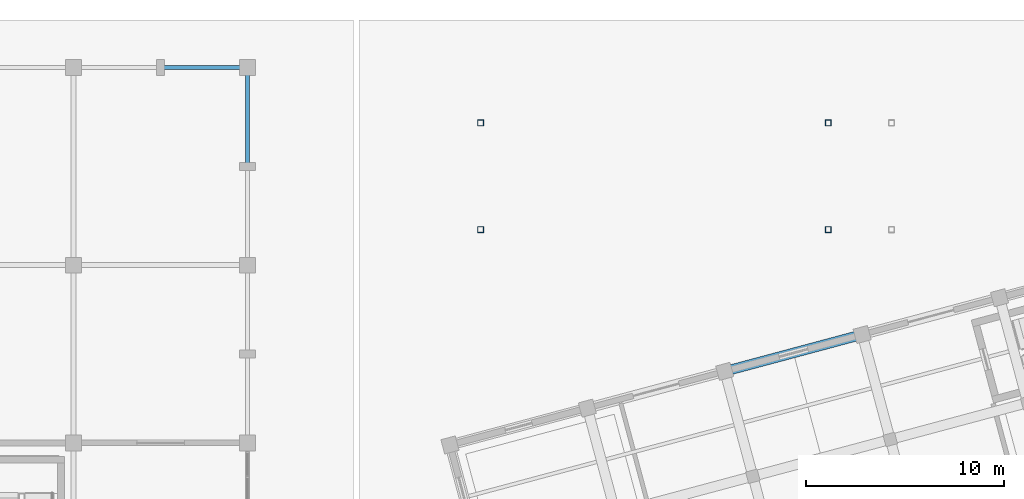
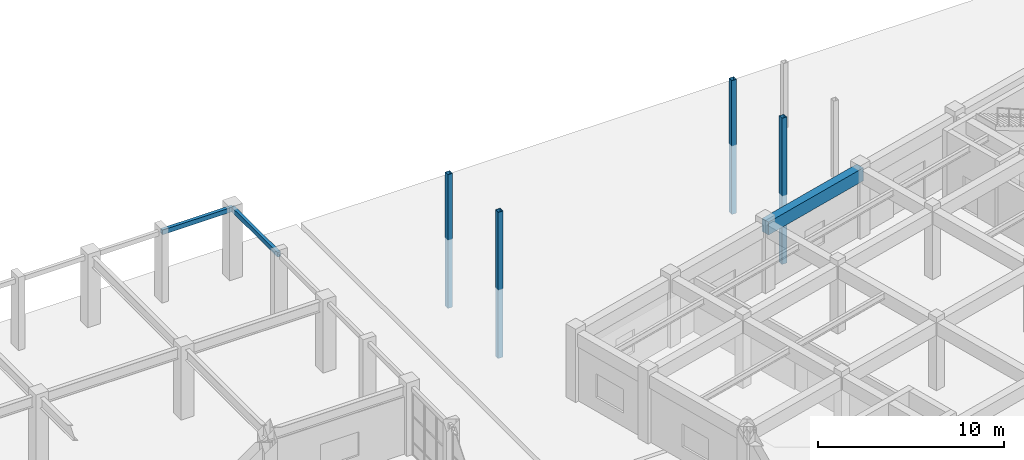
# One storey, part 23 of 47: 4 members, 3 beams.
"""IFC4 building model written with IfcOpenShell, lengths in metres."""

from ifc_helpers import new_model, si_unit, direction, frame, origin, origin_2d, place, context, subcontext, project, spatial, rectangle, hollow_rectangle, extrude, material, material_profile, profile_set, type_object, element, save


model = new_model("IFC4")

# Units and contexts
model_context = context("Model", 3, precision=1e-05, world=origin(), true_north=direction((0.0, 1.0)))
body_context = subcontext(model_context, "Body", "Model", "MODEL_VIEW")
ifc_project = project(units=[si_unit("LENGTHUNIT", "METRE"), si_unit("AREAUNIT", "SQUARE_METRE"), si_unit("VOLUMEUNIT", "CUBIC_METRE"), si_unit("PLANEANGLEUNIT", "RADIAN"), si_unit("MASSUNIT", "GRAM", prefix="KILO")], contexts=[model_context])

# Site, building, storey
site_placement = place(None, origin())
site = spatial("IfcSite", under=ifc_project, at=site_placement, CompositionType="ELEMENT")
building_placement = place(site_placement, origin())
building = spatial("IfcBuilding", under=site, at=building_placement, Name="Ventoquebrada Cableway Terminal", CompositionType="ELEMENT")
storey_placement = place(building_placement, origin())
storey = spatial("IfcBuildingStorey", under=building, at=storey_placement, Name="L00", CompositionType="ELEMENT", Elevation=0.0)

# Beam
ifc_material_1 = material(Name="Concrete C40/50", Category="concrete")
ifc_material_profile_1 = material_profile(ifc_material_1, rectangle(XDim=0.5, YDim=0.85009765625, at=origin_2d()), Name="RC-BM-500X850")
ifc_profile_set_1 = profile_set([ifc_material_profile_1], Name="Concrete C40/50")
beam_type_1 = type_object("IfcBeamType", Name="BM-RC04", PredefinedType="BEAM", material=ifc_profile_set_1)
beam_1_placement = place(storey_placement, frame((59.157958984375, 98.625, 4.02490234375), z_axis=(0.96591172503, 0.258871665986, 0.0), x_axis=(-0.258871665986, 0.96591172503, 0.0)))
element("IfcBeam", 1, at=beam_1_placement, inside=storey, type_object=beam_type_1, Name="Splayed station girder FBM-1000", PredefinedType="BEAM", context=body_context, shape_type="SweptSolid", body=[
    extrude(rectangle(XDim=0.5, YDim=0.85009765625, at=origin_2d()), origin(), (0.0, 0.0, 1.0), 7.200439453125),
])

# Members
ifc_material_2 = material(Name="Steel ASTM A500 Grade C", Category="steel")
ifc_material_profile_2 = material_profile(ifc_material_2, hollow_rectangle(XDim=0.300048828125, YDim=0.300048828125, WallThickness=0.01611328125, at=origin_2d()), Name="HSS300X300X16")
ifc_profile_set_2 = profile_set([ifc_material_profile_2], Name="Steel ASTM A500 Grade C")
member_type = type_object("IfcMemberType", Name="PST-GS01", PredefinedType="STRUT", material=ifc_profile_set_2)
for number, where, z_axis, x_axis, name in (
    (2, (46.800048828125, 105.800048828125, -4.5), (0.0, 0.0, 1.0), (1.0, 0.0, 0.0), "Plaza canopy support post CN-PS-0561"),
    (3, (64.39990234375, 105.800048828125, -4.5), (0.0, 0.0, 1.0), (1.0, 0.0, 0.0), "Plaza canopy support post CN-PS-0562"),
):
    element("IfcMember", number, at=place(storey_placement, frame(where, z_axis=z_axis, x_axis=x_axis)), inside=storey, type_object=member_type, Name=name, PredefinedType="STRUT", context=body_context, shape_type="SweptSolid", body=[
        extrude(hollow_rectangle(XDim=0.300048828125, YDim=0.300048828125, WallThickness=0.01611328125, at=origin_2d()), origin(), (0.0, 0.0, 1.0), 9.5810546875),
    ])
for number, where, z_axis, x_axis, name in (
    (4, (64.39990234375, 111.199951171875, -4.5), (0.0, 0.0, 1.0), (1.0, 0.0, 0.0), "Plaza canopy support post CN-PS-0563"),
    (5, (46.800048828125, 111.199951171875, -4.5), (0.0, 0.0, 1.0), (1.0, 0.0, 0.0), "Plaza canopy support post CN-PS-0564"),
):
    element("IfcMember", number, at=place(storey_placement, frame(where, z_axis=z_axis, x_axis=x_axis)), inside=storey, type_object=member_type, Name=name, PredefinedType="STRUT", context=body_context, shape_type="SweptSolid", body=[
        extrude(hollow_rectangle(XDim=0.300048828125, YDim=0.300048828125, WallThickness=0.01611328125, at=origin_2d()), origin(), (0.0, 0.0, 1.0), 8.77392578125),
    ])

# Beams
ifc_material_profile_3 = material_profile(ifc_material_2, hollow_rectangle(XDim=0.199951171875, YDim=0.300048828125, WallThickness=0.012451171875, at=origin_2d()), Name="RHS300X200X12.5")
ifc_profile_set_3 = profile_set([ifc_material_profile_3], Name="Steel ASTM A500 Grade C")
beam_type_2 = type_object("IfcBeamType", Name="SP-ST02", PredefinedType="SPANDREL", material=ifc_profile_set_3)
beam_2_placement = place(storey_placement, frame((30.60009765625, 114.0, 4.3798828125), z_axis=(1.0, 0.0, 0.0), x_axis=(0.0, 1.0, 0.0)))
element("IfcBeam", 6, at=beam_2_placement, inside=storey, type_object=beam_type_2, Name="Perimeter spandrel beam FBM-0342", PredefinedType="SPANDREL", context=body_context, shape_type="SweptSolid", body=[
    extrude(hollow_rectangle(XDim=0.199951171875, YDim=0.300048828125, WallThickness=0.012451171875, at=origin_2d()), origin(), (0.0, 0.0, 1.0), 4.39990234375),
])
beam_3_placement = place(storey_placement, frame((35.0, 109.0, 4.3798828125), z_axis=(0.0, 1.0, 0.0), x_axis=(-1.0, 0.0, 0.0)))
element("IfcBeam", 7, at=beam_3_placement, inside=storey, type_object=beam_type_2, Name="Perimeter spandrel beam FBM-0376", PredefinedType="SPANDREL", context=body_context, shape_type="SweptSolid", body=[
    extrude(hollow_rectangle(XDim=0.199951171875, YDim=0.300048828125, WallThickness=0.012451171875, at=origin_2d()), origin(), (0.0, 0.0, 1.0), 5.0),
])

save(model, "model.ifc")
